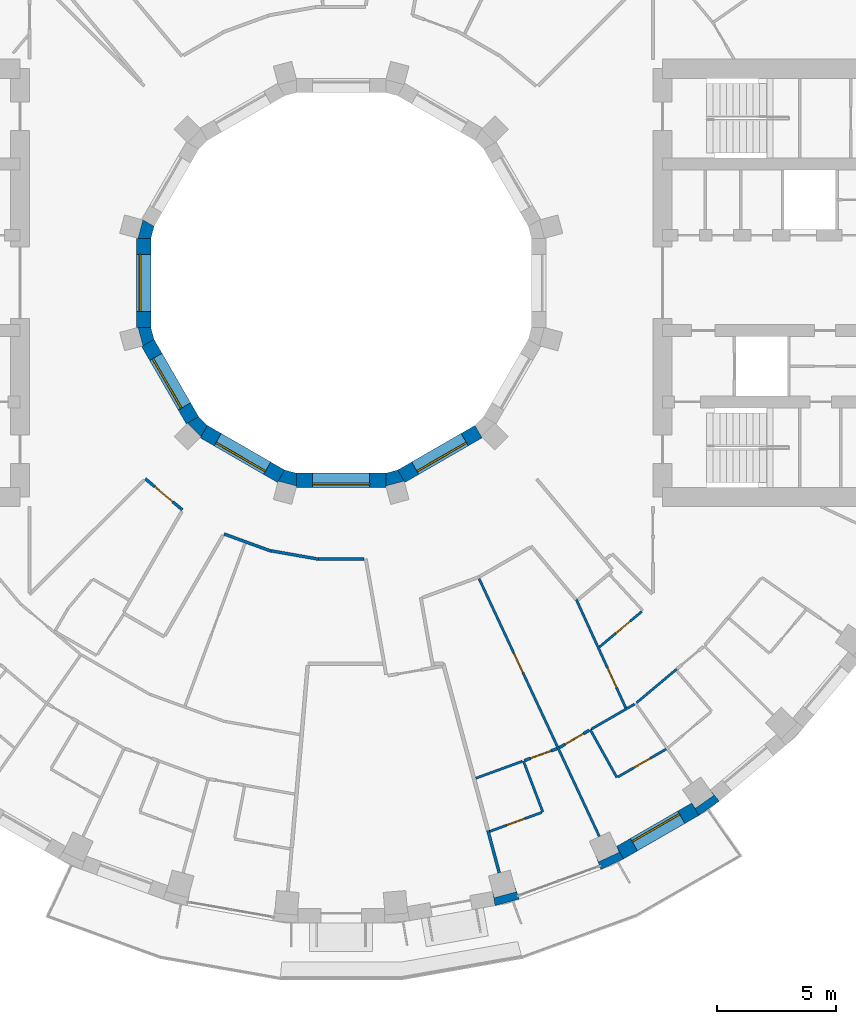
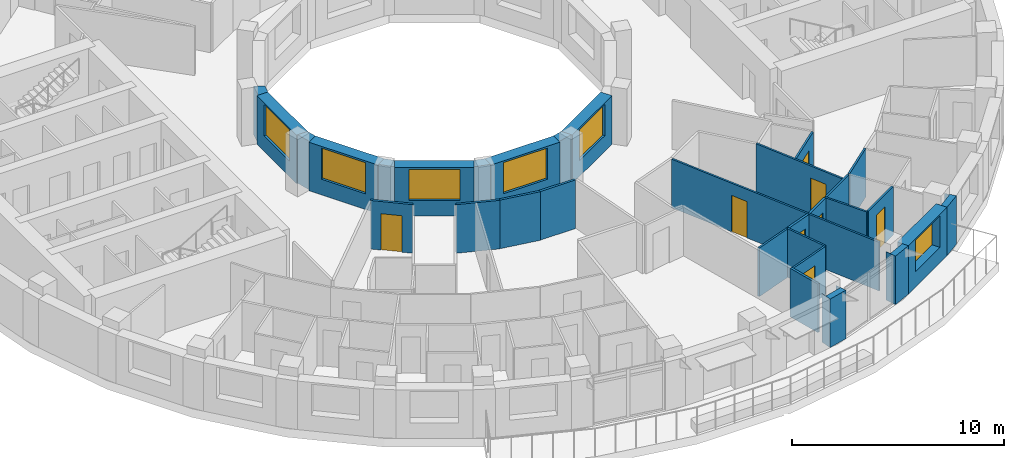
# One storey, part 8 of 16: 31 walls, 8 doors, 6 windows, 14 openings.
"""IFC4 building model written with IfcOpenShell, lengths in metres."""

from ifc_helpers import new_model, si_unit, direction, frame, frame_2d, origin, place, context, subcontext, project, spatial, polyline, rectangle, outline, extrude, material, layer, layer_set, type_object, element, fill, save


model = new_model("IFC4")

# Units and contexts
model_context = context("Model", 3, precision=1e-05, world=origin(), true_north=direction((0.0, 1.0)))
body_context = subcontext(model_context, "Body", "Model", "MODEL_VIEW")
ifc_project = project(units=[si_unit("LENGTHUNIT", "METRE"), si_unit("AREAUNIT", "SQUARE_METRE"), si_unit("VOLUMEUNIT", "CUBIC_METRE"), si_unit("PLANEANGLEUNIT", "RADIAN"), si_unit("MASSUNIT", "GRAM", prefix="KILO")], contexts=[model_context])

# Site, building, storey
site_placement = place(None, origin())
site = spatial("IfcSite", under=ifc_project, at=site_placement, CompositionType="ELEMENT")
building_placement = place(site_placement, origin())
building = spatial("IfcBuilding", under=site, at=building_placement, Name="Saqina Gate Tower", CompositionType="ELEMENT")
storey_placement = place(building_placement, frame((0.0, 0.0, 141.39990234375)))
storey = spatial("IfcBuildingStorey", under=building, at=storey_placement, Name="L40", CompositionType="ELEMENT", Elevation=141.39990234375)

# Walls
ifc_material_1 = material(Name="Brick masonry (buff)", Category="masonry")
wall_type_1 = type_object("IfcWallType", Name="BRICK PIER COPING BUFF", PredefinedType="SOLIDWALL", material=ifc_material_1)
wall_1_placement = place(storey_placement, origin())
element("IfcWall", 1, at=wall_1_placement, inside=storey, type_object=wall_type_1, Name="Pier cap L40 column 29", PredefinedType="SOLIDWALL", context=body_context, shape_type="SweptSolid", body=[
    extrude(outline(polyline([(6.466796875, -26.171875), (7.485595703125, -25.89892578125), (7.2802734375, -25.335205078125), (7.349853515625, -25.5947265625), (6.43212890625, -25.8408203125), (6.36279296875, -25.5810546875), (6.466796875, -26.171875)])), origin(), (0.0, 0.0, 1.0), 2.800048828125),
])
wall_2_placement = place(storey_placement, origin())
element("IfcWall", 2, at=wall_2_placement, inside=storey, type_object=wall_type_1, Name="Pier cap L40 column 30", PredefinedType="SOLIDWALL", context=body_context, shape_type="SweptSolid", body=[
    extrude(outline(polyline([(10.913330078125, -24.6513671875), (11.869140625, -24.205810546875), (11.569091796875, -23.68603515625), (11.6826171875, -23.9296875), (10.82177734375, -24.331298828125), (10.7080078125, -24.08740234375), (10.913330078125, -24.6513671875)])), origin(), (0.0, 0.0, 1.0), 2.800048828125),
])
wall_3_placement = place(storey_placement, origin())
element("IfcWall", 3, at=wall_3_placement, inside=storey, type_object=wall_type_1, Name="Pier cap L40 column 31", PredefinedType="SOLIDWALL", context=body_context, shape_type="SweptSolid", body=[
    extrude(outline(polyline([(15.89208984375, -21.77685546875), (15.50634765625, -21.317138671875), (15.66064453125, -21.53759765625), (14.88232421875, -22.08251953125), (14.728271484375, -21.862060546875), (15.0283203125, -22.3818359375), (15.89208984375, -21.77685546875)])), origin(), (0.0, 0.0, 1.0), 2.800048828125),
])

# Wall, opening, window
ifc_material_2 = material(Name="Brick masonry (buff)", Category="masonry")
ifc_layer_1 = layer(ifc_material_2, 0.60009765625)
ifc_layer_set_1 = layer_set([ifc_layer_1], Name="FW-BRICK-BUFF")
wall_type_2 = type_object("IfcWallType", Name="FW-BRICK-BUFF", PredefinedType="SOLIDWALL", material=ifc_layer_set_1)
wall_4_placement = place(storey_placement, frame((11.718994140625, -23.94580078125, 0.0), z_axis=(0.0, 0.0, 1.0), x_axis=(0.866051847062, 0.499954196102, 0.0)))
wall_4 = element("IfcWall", 4, at=wall_4_placement, inside=storey, type_object=wall_type_2, Name="Facade wall L40 facet 30", PredefinedType="SOLIDWALL", context=body_context, shape_type="SweptSolid", body=[
    extrude(rectangle(XDim=3.647705078125, YDim=0.60009765625, at=frame_2d((1.82373046875, 0.0))), origin(), (0.0, 0.0, 1.0), 2.800048828125),
])
opening_1_placement = place(wall_4_placement, frame((0.673828125, 0.0, 0.89990234375)))
opening_1 = element("IfcOpeningElement", 5, at=opening_1_placement, cuts=wall_4, Name="Opening G12-W19", PredefinedType="OPENING", context=body_context, shape_type="SweptSolid", body=[
    extrude(rectangle(XDim=2.300048828125, YDim=1.800048828125, at=frame_2d((1.14990234375, 0.89990234375))), frame((0.0, 0.31201171875, 0.0), z_axis=(0.0, -1.0, 0.0), x_axis=(1.0, 0.0, 0.0)), (0.0, 0.0, 1.0), 0.6240234375),
])
ifc_material_3 = material(Name="Aluminium glazing", Category="aluminium")
window_type_1 = type_object("IfcWindowType", Name="WN-B", PartitioningType="SINGLE_PANEL", PredefinedType="WINDOW", material=ifc_material_3)
window_1_placement = place(opening_1_placement, origin())
window_1 = element("IfcWindow", 6, at=window_1_placement, inside=storey, type_object=window_type_1, Name="Window L40 facet 30", OverallHeight=1.800048828125, OverallWidth=2.300048828125, PartitioningType="SINGLE_PANEL", PredefinedType="WINDOW", context=body_context, shape_type="SweptSolid", body=[
    extrude(rectangle(XDim=2.300048828125, YDim=1.800048828125, at=frame_2d((1.14990234375, 0.89990234375))), frame((0.0, 0.179931640625, 0.0), z_axis=(0.0, -1.0, 0.0), x_axis=(1.0, 0.0, 0.0)), (0.0, 0.0, 1.0), 0.06005859375),
])
fill(opening_1, window_1)

ifc_material_4 = material(Name="Glazed ceramic tile", Category="ceramic")
ifc_layer_2 = layer(ifc_material_4, 0.60009765625)
ifc_layer_set_2 = layer_set([ifc_layer_2], Name="IW-TILE")
wall_type_3 = type_object("IfcWallType", Name="IW-TILE", PredefinedType="SOLIDWALL", material=ifc_layer_set_2)
wall_5_placement = place(storey_placement, frame((-8.300048828125, 1.873779296875, 0.0), z_axis=(0.0, 0.0, 1.0), x_axis=(0.0, -1.0, 0.0)))
wall_5 = element("IfcWall", 7, at=wall_5_placement, inside=storey, type_object=wall_type_3, Name="Well wall L40 facet 6", PredefinedType="SOLIDWALL", context=body_context, shape_type="SweptSolid", body=[
    extrude(rectangle(XDim=3.74755859375, YDim=0.60009765625, at=frame_2d((1.873779296875, 0.0))), origin(), (0.0, 0.0, 1.0), 2.800048828125),
])
opening_2_placement = place(wall_5_placement, frame((0.673583984375, 0.0, 0.89990234375)))
opening_2 = element("IfcOpeningElement", 8, at=opening_2_placement, cuts=wall_5, Name="Opening G12-W28", PredefinedType="OPENING", context=body_context, shape_type="SweptSolid", body=[
    extrude(rectangle(XDim=2.39990234375, YDim=1.800048828125, at=frame_2d((1.199951171875, 0.89990234375))), frame((0.0, 0.31201171875, 0.0), z_axis=(0.0, -1.0, 0.0), x_axis=(1.0, 0.0, 0.0)), (0.0, 0.0, 1.0), 0.6240234375),
])
ifc_material_5 = material(Name="Aluminium glazing", Category="aluminium")
window_type_2 = type_object("IfcWindowType", Name="WN-W", PartitioningType="SINGLE_PANEL", PredefinedType="WINDOW", material=ifc_material_5)
window_2_placement = place(opening_2_placement, origin())
window_2 = element("IfcWindow", 9, at=window_2_placement, inside=storey, type_object=window_type_2, Name="Well window L40 facet 6", OverallHeight=1.800048828125, OverallWidth=2.39990234375, PartitioningType="SINGLE_PANEL", PredefinedType="WINDOW", context=body_context, shape_type="SweptSolid", body=[
    extrude(rectangle(XDim=2.39990234375, YDim=1.800048828125, at=frame_2d((1.199951171875, 0.89990234375))), frame((0.0, -0.119873046875, 0.0), z_axis=(0.0, -1.0, 0.0), x_axis=(1.0, 0.0, 0.0)), (0.0, 0.0, 1.0), 0.06005859375),
])
fill(opening_2, window_2)

wall_6_placement = place(storey_placement, frame((-8.124755859375, -2.52734375, 0.0), z_axis=(0.0, 0.0, 1.0), x_axis=(0.499964958637, -0.86604563398, 0.0)))
wall_6 = element("IfcWall", 10, at=wall_6_placement, inside=storey, type_object=wall_type_3, Name="Well wall L40 facet 7", PredefinedType="SOLIDWALL", context=body_context, shape_type="SweptSolid", body=[
    extrude(rectangle(XDim=3.747314453125, YDim=0.60009765625, at=frame_2d((1.87353515625, 0.0))), origin(), (0.0, 0.0, 1.0), 2.800048828125),
])
opening_3_placement = place(wall_6_placement, frame((0.673583984375, 0.0, 0.89990234375)))
opening_3 = element("IfcOpeningElement", 11, at=opening_3_placement, cuts=wall_6, Name="Opening G12-W29", PredefinedType="OPENING", context=body_context, shape_type="SweptSolid", body=[
    extrude(rectangle(XDim=2.39990234375, YDim=1.800048828125, at=frame_2d((1.199951171875, 0.89990234375))), frame((0.0, 0.31201171875, 0.0), z_axis=(0.0, -1.0, 0.0), x_axis=(1.0, 0.0, 0.0)), (0.0, 0.0, 1.0), 0.6240234375),
])
window_3_placement = place(opening_3_placement, origin())
window_3 = element("IfcWindow", 12, at=window_3_placement, inside=storey, type_object=window_type_2, Name="Well window L40 facet 7", OverallHeight=1.800048828125, OverallWidth=2.39990234375, PartitioningType="SINGLE_PANEL", PredefinedType="WINDOW", context=body_context, shape_type="SweptSolid", body=[
    extrude(rectangle(XDim=2.39990234375, YDim=1.800048828125, at=frame_2d((1.199951171875, 0.89990234375))), frame((0.0, -0.119873046875, 0.0), z_axis=(0.0, -1.0, 0.0), x_axis=(1.0, 0.0, 0.0)), (0.0, 0.0, 1.0), 0.06005859375),
])
fill(opening_3, window_3)

wall_7_placement = place(storey_placement, frame((-5.772705078125, -6.251220703125, 0.0), z_axis=(0.0, 0.0, 1.0), x_axis=(0.86604563398, -0.499964958637, 0.0)))
wall_7 = element("IfcWall", 13, at=wall_7_placement, inside=storey, type_object=wall_type_3, Name="Well wall L40 facet 8", PredefinedType="SOLIDWALL", context=body_context, shape_type="SweptSolid", body=[
    extrude(rectangle(XDim=3.747314453125, YDim=0.60009765625, at=frame_2d((1.87353515625, 0.0))), origin(), (0.0, 0.0, 1.0), 2.800048828125),
])
opening_4_placement = place(wall_7_placement, frame((0.673583984375, 0.0, 0.89990234375)))
opening_4 = element("IfcOpeningElement", 14, at=opening_4_placement, cuts=wall_7, Name="Opening G12-W30", PredefinedType="OPENING", context=body_context, shape_type="SweptSolid", body=[
    extrude(rectangle(XDim=2.39990234375, YDim=1.800048828125, at=frame_2d((1.199951171875, 0.89990234375))), frame((0.0, 0.31201171875, 0.0), z_axis=(0.0, -1.0, 0.0), x_axis=(1.0, 0.0, 0.0)), (0.0, 0.0, 1.0), 0.6240234375),
])
window_4_placement = place(opening_4_placement, origin())
window_4 = element("IfcWindow", 15, at=window_4_placement, inside=storey, type_object=window_type_2, Name="Well window L40 facet 8", OverallHeight=1.800048828125, OverallWidth=2.39990234375, PartitioningType="SINGLE_PANEL", PredefinedType="WINDOW", context=body_context, shape_type="SweptSolid", body=[
    extrude(rectangle(XDim=2.39990234375, YDim=1.800048828125, at=frame_2d((1.199951171875, 0.89990234375))), frame((0.0, -0.119873046875, 0.0), z_axis=(0.0, -1.0, 0.0), x_axis=(1.0, 0.0, 0.0)), (0.0, 0.0, 1.0), 0.06005859375),
])
fill(opening_4, window_4)

wall_8_placement = place(storey_placement, frame((-1.873779296875, -8.300048828125, 0.0), z_axis=(0.0, 0.0, 1.0), x_axis=(1.0, 0.0, 0.0)))
wall_8 = element("IfcWall", 16, at=wall_8_placement, inside=storey, type_object=wall_type_3, Name="Well wall L40 facet 9", PredefinedType="SOLIDWALL", context=body_context, shape_type="SweptSolid", body=[
    extrude(rectangle(XDim=3.74755859375, YDim=0.60009765625, at=frame_2d((1.873779296875, 0.0))), origin(), (0.0, 0.0, 1.0), 2.800048828125),
])
opening_5_placement = place(wall_8_placement, frame((0.673583984375, 0.0, 0.89990234375)))
opening_5 = element("IfcOpeningElement", 17, at=opening_5_placement, cuts=wall_8, Name="Opening G12-W31", PredefinedType="OPENING", context=body_context, shape_type="SweptSolid", body=[
    extrude(rectangle(XDim=2.39990234375, YDim=1.800048828125, at=frame_2d((1.199951171875, 0.89990234375))), frame((0.0, 0.31201171875, 0.0), z_axis=(0.0, -1.0, 0.0), x_axis=(1.0, 0.0, 0.0)), (0.0, 0.0, 1.0), 0.6240234375),
])
window_5_placement = place(opening_5_placement, origin())
window_5 = element("IfcWindow", 18, at=window_5_placement, inside=storey, type_object=window_type_2, Name="Well window L40 facet 9", OverallHeight=1.800048828125, OverallWidth=2.39990234375, PartitioningType="SINGLE_PANEL", PredefinedType="WINDOW", context=body_context, shape_type="SweptSolid", body=[
    extrude(rectangle(XDim=2.39990234375, YDim=1.800048828125, at=frame_2d((1.199951171875, 0.89990234375))), frame((0.0, -0.119873046875, 0.0), z_axis=(0.0, -1.0, 0.0), x_axis=(1.0, 0.0, 0.0)), (0.0, 0.0, 1.0), 0.06005859375),
])
fill(opening_5, window_5)

wall_9_placement = place(storey_placement, frame((2.52734375, -8.124755859375, 0.0), z_axis=(0.0, 0.0, 1.0), x_axis=(0.86604563398, 0.499964958637, 0.0)))
wall_9 = element("IfcWall", 19, at=wall_9_placement, inside=storey, type_object=wall_type_3, Name="Well wall L40 facet 10", PredefinedType="SOLIDWALL", context=body_context, shape_type="SweptSolid", body=[
    extrude(rectangle(XDim=3.747314453125, YDim=0.60009765625, at=frame_2d((1.87353515625, 0.0))), origin(), (0.0, 0.0, 1.0), 2.800048828125),
])
opening_6_placement = place(wall_9_placement, frame((0.673583984375, 0.0, 0.89990234375)))
opening_6 = element("IfcOpeningElement", 20, at=opening_6_placement, cuts=wall_9, Name="Opening G12-W32", PredefinedType="OPENING", context=body_context, shape_type="SweptSolid", body=[
    extrude(rectangle(XDim=2.39990234375, YDim=1.800048828125, at=frame_2d((1.199951171875, 0.89990234375))), frame((0.0, 0.31201171875, 0.0), z_axis=(0.0, -1.0, 0.0), x_axis=(1.0, 0.0, 0.0)), (0.0, 0.0, 1.0), 0.6240234375),
])
window_6_placement = place(opening_6_placement, origin())
window_6 = element("IfcWindow", 21, at=window_6_placement, inside=storey, type_object=window_type_2, Name="Well window L40 facet 10", OverallHeight=1.800048828125, OverallWidth=2.39990234375, PartitioningType="SINGLE_PANEL", PredefinedType="WINDOW", context=body_context, shape_type="SweptSolid", body=[
    extrude(rectangle(XDim=2.39990234375, YDim=1.800048828125, at=frame_2d((1.199951171875, 0.89990234375))), frame((0.0, -0.119873046875, 0.0), z_axis=(0.0, -1.0, 0.0), x_axis=(1.0, 0.0, 0.0)), (0.0, 0.0, 1.0), 0.06005859375),
])
fill(opening_6, window_6)

# Wall
ifc_material_6 = material(Name="Gypsum board on steel studs, 100 mm", Category="steel")
ifc_layer_3 = layer(ifc_material_6, 0.10009765625)
ifc_layer_set_3 = layer_set([ifc_layer_3], Name="PARTITION 100")
wall_type_4 = type_object("IfcWallType", Name="PARTITION 100", PredefinedType="PARTITIONING", material=ifc_layer_set_3)
wall_10_placement = place(storey_placement, frame((7.656982421875, -20.090087890625, 0.0), z_axis=(0.0, 0.0, 1.0), x_axis=(0.35616749028, -0.934422130981, 0.0)))
element("IfcWall", 22, at=wall_10_placement, inside=storey, type_object=wall_type_4, Name="PARTITION PW3-06", PredefinedType="PARTITIONING", context=body_context, shape_type="SweptSolid", body=[
    extrude(rectangle(XDim=2.2998046875, YDim=0.10009765625, at=frame_2d((1.14990234375, 0.0))), origin(), (0.0, 0.0, 1.0), 2.800048828125),
])

# Wall, opening, door
wall_11_placement = place(storey_placement, frame((9.882568359375, -13.311767578125, 0.0), z_axis=(0.0, 0.0, 1.0), x_axis=(0.415273903312, -0.909696424764, 0.0)))
wall_11 = element("IfcWall", 23, at=wall_11_placement, inside=storey, type_object=wall_type_4, Name="PARTITION PW3-07", PredefinedType="PARTITIONING", context=body_context, shape_type="SweptSolid", body=[
    extrude(rectangle(XDim=5.0, YDim=0.10009765625, at=frame_2d((2.5, 0.0))), origin(), (0.0, 0.0, 1.0), 2.800048828125),
])
opening_7_placement = place(wall_11_placement, frame((3.16552734375, 0.0, 0.0)))
opening_7 = element("IfcOpeningElement", 24, at=opening_7_placement, cuts=wall_11, Name="Opening G12-D54", PredefinedType="OPENING", context=body_context, shape_type="SweptSolid", body=[
    extrude(rectangle(XDim=0.89990234375, YDim=2.10009765625, at=frame_2d((0.449951171875, 1.050048828125))), frame((0.0, 0.06201171875, 0.0), z_axis=(0.0, -1.0, 0.0), x_axis=(1.0, 0.0, 0.0)), (0.0, 0.0, 1.0), 0.1240234375),
])
ifc_material_7 = material(Name="Timber door leaf, 900 mm", Category="wood")
door_type_1 = type_object("IfcDoorType", Name="DOOR 900 TIMBER", OperationType="SINGLE_SWING_LEFT", PredefinedType="DOOR", material=ifc_material_7)
door_1_placement = place(opening_7_placement, origin())
door_1 = element("IfcDoor", 25, at=door_1_placement, inside=storey, type_object=door_type_1, Name="DOOR G12-D54", OperationType="SINGLE_SWING_RIGHT", OverallHeight=2.10009765625, OverallWidth=0.89990234375, PredefinedType="DOOR", context=body_context, shape_type="SweptSolid", body=[
    extrude(rectangle(XDim=0.89990234375, YDim=2.10009765625, at=frame_2d((0.449951171875, 1.050048828125))), frame((0.0, 0.02490234375, 0.0), z_axis=(0.0, -1.0, 0.0), x_axis=(1.0, 0.0, 0.0)), (0.0, 0.0, 1.0), 0.050048828125),
])
fill(opening_7, door_1)

wall_12_placement = place(storey_placement, frame((5.79443359375, -12.429931640625, 0.0), z_axis=(0.0, 0.0, 1.0), x_axis=(0.422795993745, -0.906224888023, 0.0)))
wall_12 = element("IfcWall", 26, at=wall_12_placement, inside=storey, type_object=wall_type_4, Name="PARTITION PW3-09", PredefinedType="PARTITIONING", context=body_context, shape_type="SweptSolid", body=[
    extrude(rectangle(XDim=11.95068359375, YDim=0.10009765625, at=frame_2d((5.975341796875, 0.0))), origin(), (0.0, 0.0, 1.0), 2.800048828125),
])
opening_8_placement = place(wall_12_placement, frame((3.45068359375, 0.0, 0.0)))
opening_8 = element("IfcOpeningElement", 27, at=opening_8_placement, cuts=wall_12, Name="Opening G12-D51", PredefinedType="OPENING", context=body_context, shape_type="SweptSolid", body=[
    extrude(rectangle(XDim=0.89990234375, YDim=2.10009765625, at=frame_2d((0.449951171875, 1.050048828125))), frame((0.0, 0.06201171875, 0.0), z_axis=(0.0, -1.0, 0.0), x_axis=(1.0, 0.0, 0.0)), (0.0, 0.0, 1.0), 0.1240234375),
])
door_2_placement = place(opening_8_placement, origin())
door_2 = element("IfcDoor", 28, at=door_2_placement, inside=storey, type_object=door_type_1, Name="DOOR G12-D51", OperationType="SINGLE_SWING_LEFT", OverallHeight=2.10009765625, OverallWidth=0.89990234375, PredefinedType="DOOR", context=body_context, shape_type="SweptSolid", body=[
    extrude(rectangle(XDim=0.89990234375, YDim=2.10009765625, at=frame_2d((0.449951171875, 1.050048828125))), frame((0.0, 0.02490234375, 0.0), z_axis=(0.0, -1.0, 0.0), x_axis=(1.0, 0.0, 0.0)), (0.0, 0.0, 1.0), 0.050048828125),
])
fill(opening_8, door_2)

# Wall
wall_13_placement = place(storey_placement, frame((10.468017578125, -18.779052734375, 0.0), z_axis=(0.0, 0.0, 1.0), x_axis=(0.486886136125, -0.873465448915, 0.0)))
element("IfcWall", 29, at=wall_13_placement, inside=storey, type_object=wall_type_4, Name="PARTITION PW3-10", PredefinedType="PARTITIONING", context=body_context, shape_type="SweptSolid", body=[
    extrude(rectangle(XDim=2.300048828125, YDim=0.10009765625, at=frame_2d((1.14990234375, 0.0))), origin(), (0.0, 0.0, 1.0), 2.800048828125),
])

# Wall, opening, door
wall_14_placement = place(storey_placement, frame((6.24169921875, -23.052734375, 0.0), z_axis=(0.0, 0.0, 1.0), x_axis=(0.939618756308, 0.342223016166, 0.0)))
wall_14 = element("IfcWall", 30, at=wall_14_placement, inside=storey, type_object=wall_type_4, Name="PARTITION PW3-67", PredefinedType="PARTITIONING", context=body_context, shape_type="SweptSolid", body=[
    extrude(rectangle(XDim=2.327880859375, YDim=0.10009765625, at=frame_2d((1.1640625, 0.0))), origin(), (0.0, 0.0, 1.0), 2.800048828125),
])
opening_9_placement = place(wall_14_placement, frame((0.7578125, 0.0, 0.0)))
opening_9 = element("IfcOpeningElement", 31, at=opening_9_placement, cuts=wall_14, Name="Opening G12-D49", PredefinedType="OPENING", context=body_context, shape_type="SweptSolid", body=[
    extrude(rectangle(XDim=0.800048828125, YDim=2.10009765625, at=frame_2d((0.39990234375, 1.050048828125))), frame((0.0, 0.06201171875, 0.0), z_axis=(0.0, -1.0, 0.0), x_axis=(1.0, 0.0, 0.0)), (0.0, 0.0, 1.0), 0.1240234375),
])
ifc_material_8 = material(Name="Timber door leaf, 800 mm", Category="wood")
door_type_2 = type_object("IfcDoorType", Name="DOOR 800 TIMBER", OperationType="SINGLE_SWING_LEFT", PredefinedType="DOOR", material=ifc_material_8)
door_3_placement = place(opening_9_placement, frame((0.800048828125, 0.0, 0.0), z_axis=(0.0, 0.0, 1.0), x_axis=(-1.0, 0.0, 0.0)))
door_3 = element("IfcDoor", 32, at=door_3_placement, inside=storey, type_object=door_type_2, Name="DOOR G12-D49", OperationType="SINGLE_SWING_RIGHT", OverallHeight=2.10009765625, OverallWidth=0.800048828125, PredefinedType="DOOR", context=body_context, shape_type="SweptSolid", body=[
    extrude(rectangle(XDim=0.800048828125, YDim=2.10009765625, at=frame_2d((0.39990234375, 1.050048828125))), frame((0.0, 0.02490234375, 0.0), z_axis=(0.0, -1.0, 0.0), x_axis=(1.0, 0.0, 0.0)), (0.0, 0.0, 1.0), 0.050048828125),
])
fill(opening_9, door_3)

# Wall
wall_15_placement = place(storey_placement, frame((5.655517578125, -20.818359375, 0.0), z_axis=(0.0, 0.0, 1.0), x_axis=(0.939728291625, 0.341922122596, 0.0)))
element("IfcWall", 33, at=wall_15_placement, inside=storey, type_object=wall_type_4, Name="PARTITION PW3-68", PredefinedType="PARTITIONING", context=body_context, shape_type="SweptSolid", body=[
    extrude(rectangle(XDim=2.079833984375, YDim=0.10009765625, at=frame_2d((1.0400390625, 0.0))), origin(), (0.0, 0.0, 1.0), 2.800048828125),
])

# Wall, opening, door
wall_16_placement = place(storey_placement, frame((11.63134765625, -20.762939453125, 0.0), z_axis=(0.0, 0.0, 1.0), x_axis=(0.866130014302, 0.499818765479, 0.0)))
wall_16 = element("IfcWall", 34, at=wall_16_placement, inside=storey, type_object=wall_type_4, Name="PARTITION PW3-73", PredefinedType="PARTITIONING", context=body_context, shape_type="SweptSolid", body=[
    extrude(rectangle(XDim=2.340576171875, YDim=0.10009765625, at=frame_2d((1.17041015625, 0.0))), origin(), (0.0, 0.0, 1.0), 2.800048828125),
])
opening_10_placement = place(wall_16_placement, frame((0.7705078125, 0.0, 0.0)))
opening_10 = element("IfcOpeningElement", 35, at=opening_10_placement, cuts=wall_16, Name="Opening G12-D53", PredefinedType="OPENING", context=body_context, shape_type="SweptSolid", body=[
    extrude(rectangle(XDim=0.800048828125, YDim=2.10009765625, at=frame_2d((0.39990234375, 1.050048828125))), frame((0.0, 0.06201171875, 0.0), z_axis=(0.0, -1.0, 0.0), x_axis=(1.0, 0.0, 0.0)), (0.0, 0.0, 1.0), 0.1240234375),
])
door_4_placement = place(opening_10_placement, frame((0.800048828125, 0.0, 0.0), z_axis=(0.0, 0.0, 1.0), x_axis=(-1.0, 0.0, 0.0)))
door_4 = element("IfcDoor", 36, at=door_4_placement, inside=storey, type_object=door_type_2, Name="DOOR G12-D53", OperationType="SINGLE_SWING_LEFT", OverallHeight=2.10009765625, OverallWidth=0.800048828125, PredefinedType="DOOR", context=body_context, shape_type="SweptSolid", body=[
    extrude(rectangle(XDim=0.800048828125, YDim=2.10009765625, at=frame_2d((0.39990234375, 1.050048828125))), frame((0.0, 0.02490234375, 0.0), z_axis=(0.0, -1.0, 0.0), x_axis=(1.0, 0.0, 0.0)), (0.0, 0.0, 1.0), 0.050048828125),
])
fill(opening_10, door_4)

# Walls
wall_17_placement = place(storey_placement, frame((10.51123046875, -18.75390625, 0.0), z_axis=(0.0, 0.0, 1.0), x_axis=(0.866071606143, 0.499919966627, 0.0)))
element("IfcWall", 37, at=wall_17_placement, inside=storey, type_object=wall_type_4, Name="PARTITION PW3-74", PredefinedType="PARTITIONING", context=body_context, shape_type="SweptSolid", body=[
    extrude(rectangle(XDim=2.104248046875, YDim=0.10009765625, at=frame_2d((1.05224609375, 0.0))), origin(), (0.0, 0.0, 1.0), 2.800048828125),
])
wall_18_placement = place(storey_placement, frame((12.415283203125, -17.644775390625, 0.0), z_axis=(0.0, 0.0, 1.0), x_axis=(0.766093039246, 0.642729690631, 0.0)))
element("IfcWall", 38, at=wall_18_placement, inside=storey, type_object=wall_type_4, Name="PARTITION PW3-81", PredefinedType="PARTITIONING", context=body_context, shape_type="SweptSolid", body=[
    extrude(rectangle(XDim=2.20458984375, YDim=0.10009765625, at=frame_2d((1.102294921875, 0.0))), origin(), (0.0, 0.0, 1.0), 2.800048828125),
])

# Wall, opening, door
wall_19_placement = place(storey_placement, frame((10.848388671875, -15.30712890625, 0.0), z_axis=(0.0, 0.0, 1.0), x_axis=(0.766356114298, 0.642415991456, 0.0)))
wall_19 = element("IfcWall", 39, at=wall_19_placement, inside=storey, type_object=wall_type_4, Name="PARTITION PW3-82", PredefinedType="PARTITIONING", context=body_context, shape_type="SweptSolid", body=[
    extrude(rectangle(XDim=2.332275390625, YDim=0.10009765625, at=frame_2d((1.166015625, 0.0))), origin(), (0.0, 0.0, 1.0), 2.800048828125),
])
opening_11_placement = place(wall_19_placement, frame((0.90234375, 0.0, 0.0)))
opening_11 = element("IfcOpeningElement", 40, at=opening_11_placement, cuts=wall_19, Name="Opening G12-D56", PredefinedType="OPENING", context=body_context, shape_type="SweptSolid", body=[
    extrude(rectangle(XDim=0.800048828125, YDim=2.10009765625, at=frame_2d((0.39990234375, 1.050048828125))), frame((0.0, 0.06201171875, 0.0), z_axis=(0.0, -1.0, 0.0), x_axis=(1.0, 0.0, 0.0)), (0.0, 0.0, 1.0), 0.1240234375),
])
door_5_placement = place(opening_11_placement, frame((0.800048828125, 0.0, 0.0), z_axis=(0.0, 0.0, 1.0), x_axis=(-1.0, 0.0, 0.0)))
door_5 = element("IfcDoor", 41, at=door_5_placement, inside=storey, type_object=door_type_2, Name="DOOR G12-D56", OperationType="SINGLE_SWING_LEFT", OverallHeight=2.10009765625, OverallWidth=0.800048828125, PredefinedType="DOOR", context=body_context, shape_type="SweptSolid", body=[
    extrude(rectangle(XDim=0.800048828125, YDim=2.10009765625, at=frame_2d((0.39990234375, 1.050048828125))), frame((0.0, 0.02490234375, 0.0), z_axis=(0.0, -1.0, 0.0), x_axis=(1.0, 0.0, 0.0)), (0.0, 0.0, 1.0), 0.050048828125),
])
fill(opening_11, door_5)

# Wall
ifc_material_9 = material(Name="Gypsum board on steel studs, 125 mm, fire rated", Category="steel")
ifc_layer_4 = layer(ifc_material_9, 0.125)
ifc_layer_set_4 = layer_set([ifc_layer_4], Name="PARTITION EI 30 125")
wall_type_5 = type_object("IfcWallType", Name="PARTITION EI 30 125", PredefinedType="PARTITIONING", material=ifc_layer_set_4)
wall_20_placement = place(storey_placement, frame((6.166259765625, -23.013671875, 0.0), z_axis=(0.0, 0.0, 1.0), x_axis=(0.258802424466, -0.965930279622, 0.0)))
element("IfcWall", 42, at=wall_20_placement, inside=storey, type_object=wall_type_5, Name="PARTITION PW1-03", PredefinedType="PARTITIONING", context=body_context, shape_type="SweptSolid", body=[
    extrude(rectangle(XDim=1.839599609375, YDim=0.125, at=frame_2d((0.919921875, 0.0))), origin(), (0.0, 0.0, 1.0), 2.800048828125),
])

# Wall, opening, door
wall_21_placement = place(storey_placement, frame((-8.23291015625, -8.23193359375, 0.0), z_axis=(0.0, 0.0, 1.0), x_axis=(0.766275589864, -0.642512039092, 0.0)))
wall_21 = element("IfcWall", 43, at=wall_21_placement, inside=storey, type_object=wall_type_5, Name="PARTITION PW1-12", PredefinedType="PARTITIONING", context=body_context, shape_type="SweptSolid", body=[
    extrude(rectangle(XDim=2.02978515625, YDim=0.125, at=frame_2d((1.014892578125, 0.0))), origin(), (0.0, 0.0, 1.0), 2.800048828125),
])
opening_12_placement = place(wall_21_placement, frame((0.5146484375, 0.0, 0.0)))
opening_12 = element("IfcOpeningElement", 44, at=opening_12_placement, cuts=wall_21, Name="Opening G12-D37", PredefinedType="OPENING", context=body_context, shape_type="SweptSolid", body=[
    extrude(rectangle(XDim=1.0, YDim=2.10009765625, at=frame_2d((0.5, 1.050048828125))), frame((0.0, 0.074462890625, 0.0), z_axis=(0.0, -1.0, 0.0), x_axis=(1.0, 0.0, 0.0)), (0.0, 0.0, 1.0), 0.14892578125),
])
ifc_material_10 = material(Name="Fire door leaf EI 30, 1000 mm")
door_type_3 = type_object("IfcDoorType", Name="DOOR 1000 EI 30", OperationType="SINGLE_SWING_LEFT", PredefinedType="DOOR", material=ifc_material_10)
door_6_placement = place(opening_12_placement, frame((1.0, 0.0, 0.0), z_axis=(0.0, 0.0, 1.0), x_axis=(-1.0, 0.0, 0.0)))
door_6 = element("IfcDoor", 45, at=door_6_placement, inside=storey, type_object=door_type_3, Name="DOOR G12-D37", OperationType="SINGLE_SWING_RIGHT", OverallHeight=2.10009765625, OverallWidth=1.0, PredefinedType="DOOR", context=body_context, shape_type="SweptSolid", body=[
    extrude(rectangle(XDim=1.0, YDim=2.10009765625, at=frame_2d((0.5, 1.050048828125))), frame((0.0, 0.02490234375, 0.0), z_axis=(0.0, -1.0, 0.0), x_axis=(1.0, 0.0, 0.0)), (0.0, 0.0, 1.0), 0.050048828125),
])
fill(opening_12, door_6)

# Walls
wall_22_placement = place(storey_placement, frame((-4.9208984375, -10.552978515625, 0.0), z_axis=(0.0, 0.0, 1.0), x_axis=(0.939408005118, -0.342801108399, 0.0)))
element("IfcWall", 46, at=wall_22_placement, inside=storey, type_object=wall_type_5, Name="PARTITION PW1-22", PredefinedType="PARTITIONING", context=body_context, shape_type="SweptSolid", body=[
    extrude(rectangle(XDim=2.093017578125, YDim=0.125, at=frame_2d((1.04638671875, 0.0))), origin(), (0.0, 0.0, 1.0), 2.800048828125),
])
wall_23_placement = place(storey_placement, frame((-2.952392578125, -11.2587890625, 0.0), z_axis=(0.0, 0.0, 1.0), x_axis=(0.984837972304, -0.173476708256, 0.0)))
element("IfcWall", 47, at=wall_23_placement, inside=storey, type_object=wall_type_5, Name="PARTITION PW1-25", PredefinedType="PARTITIONING", context=body_context, shape_type="SweptSolid", body=[
    extrude(rectangle(XDim=2.03076171875, YDim=0.125, at=frame_2d((1.015380859375, 0.0))), origin(), (0.0, 0.0, 1.0), 2.800048828125),
])
wall_24_placement = place(storey_placement, frame((-0.952392578125, -11.60009765625, 0.0), z_axis=(0.0, 0.0, 1.0), x_axis=(1.0, 0.0, 0.0)))
element("IfcWall", 48, at=wall_24_placement, inside=storey, type_object=wall_type_5, Name="PARTITION PW1-28", PredefinedType="PARTITIONING", context=body_context, shape_type="SweptSolid", body=[
    extrude(rectangle(XDim=1.90478515625, YDim=0.125, at=frame_2d((0.952392578125, 0.0))), origin(), (0.0, 0.0, 1.0), 2.800048828125),
])

# Wall, opening, door
wall_25_placement = place(storey_placement, frame((7.7041015625, -20.072998046875, 0.0), z_axis=(0.0, 0.0, 1.0), x_axis=(0.939788529673, 0.341756520778, 0.0)))
wall_25 = element("IfcWall", 49, at=wall_25_placement, inside=storey, type_object=wall_type_5, Name="PARTITION PW1-34", PredefinedType="PARTITIONING", context=body_context, shape_type="SweptSolid", body=[
    extrude(rectangle(XDim=1.45654296875, YDim=0.125, at=frame_2d((0.728271484375, 0.0))), origin(), (0.0, 0.0, 1.0), 2.800048828125),
])
opening_13_placement = place(wall_25_placement, frame((0.2783203125, 0.0, 0.0)))
opening_13 = element("IfcOpeningElement", 50, at=opening_13_placement, cuts=wall_25, Name="Opening G12-D50", PredefinedType="OPENING", context=body_context, shape_type="SweptSolid", body=[
    extrude(rectangle(XDim=0.89990234375, YDim=2.10009765625, at=frame_2d((0.449951171875, 1.050048828125))), frame((0.0, 0.074462890625, 0.0), z_axis=(0.0, -1.0, 0.0), x_axis=(1.0, 0.0, 0.0)), (0.0, 0.0, 1.0), 0.14892578125),
])
ifc_material_11 = material(Name="Fire door leaf EI 30, 900 mm")
door_type_4 = type_object("IfcDoorType", Name="DOOR 900 EI 30", OperationType="SINGLE_SWING_LEFT", PredefinedType="DOOR", material=ifc_material_11)
door_7_placement = place(opening_13_placement, origin())
door_7 = element("IfcDoor", 51, at=door_7_placement, inside=storey, type_object=door_type_4, Name="DOOR G12-D50", OperationType="SINGLE_SWING_RIGHT", OverallHeight=2.10009765625, OverallWidth=0.89990234375, PredefinedType="DOOR", context=body_context, shape_type="SweptSolid", body=[
    extrude(rectangle(XDim=0.89990234375, YDim=2.10009765625, at=frame_2d((0.449951171875, 1.050048828125))), frame((0.0, 0.02490234375, 0.0), z_axis=(0.0, -1.0, 0.0), x_axis=(1.0, 0.0, 0.0)), (0.0, 0.0, 1.0), 0.050048828125),
])
fill(opening_13, door_7)

wall_26_placement = place(storey_placement, frame((9.163330078125, -19.532958984375, 0.0), z_axis=(0.0, 0.0, 1.0), x_axis=(0.865819905352, 0.500355764928, 0.0)))
wall_26 = element("IfcWall", 52, at=wall_26_placement, inside=storey, type_object=wall_type_5, Name="PARTITION PW1-38", PredefinedType="PARTITIONING", context=body_context, shape_type="SweptSolid", body=[
    extrude(rectangle(XDim=1.45703125, YDim=0.125, at=frame_2d((0.728515625, 0.0))), origin(), (0.0, 0.0, 1.0), 2.800048828125),
])
opening_14_placement = place(wall_26_placement, frame((0.278564453125, 0.0, 0.0)))
opening_14 = element("IfcOpeningElement", 53, at=opening_14_placement, cuts=wall_26, Name="Opening G12-D52", PredefinedType="OPENING", context=body_context, shape_type="SweptSolid", body=[
    extrude(rectangle(XDim=0.89990234375, YDim=2.10009765625, at=frame_2d((0.449951171875, 1.050048828125))), frame((0.0, 0.074462890625, 0.0), z_axis=(0.0, -1.0, 0.0), x_axis=(1.0, 0.0, 0.0)), (0.0, 0.0, 1.0), 0.14892578125),
])
door_8_placement = place(opening_14_placement, origin())
door_8 = element("IfcDoor", 54, at=door_8_placement, inside=storey, type_object=door_type_4, Name="DOOR G12-D52", OperationType="SINGLE_SWING_LEFT", OverallHeight=2.10009765625, OverallWidth=0.89990234375, PredefinedType="DOOR", context=body_context, shape_type="SweptSolid", body=[
    extrude(rectangle(XDim=0.89990234375, YDim=2.10009765625, at=frame_2d((0.449951171875, 1.050048828125))), frame((0.0, 0.02490234375, 0.0), z_axis=(0.0, -1.0, 0.0), x_axis=(1.0, 0.0, 0.0)), (0.0, 0.0, 1.0), 0.050048828125),
])
fill(opening_14, door_8)

# Walls
ifc_material_12 = material(Name="Glazed ceramic tile", Category="ceramic")
wall_type_6 = type_object("IfcWallType", Name="TILE PIER COPING", PredefinedType="SOLIDWALL", material=ifc_material_12)
wall_27_placement = place(storey_placement, origin())
element("IfcWall", 55, at=wall_27_placement, inside=storey, type_object=wall_type_6, Name="Well pier cap L40 column 6", PredefinedType="SOLIDWALL", context=body_context, shape_type="SweptSolid", body=[
    extrude(outline(polyline([(-8.5380859375, 1.873779296875), (-8.0, 1.873779296875), (-7.864990234375, 2.377197265625), (-8.3310546875, 2.646484375), (-8.5380859375, 1.873779296875)])), origin(), (0.0, 0.0, 1.0), 2.800048828125),
])
wall_28_placement = place(storey_placement, origin())
element("IfcWall", 56, at=wall_28_placement, inside=storey, type_object=wall_type_6, Name="Well pier cap L40 column 7", PredefinedType="SOLIDWALL", context=body_context, shape_type="SweptSolid", body=[
    extrude(outline(polyline([(-8.3310546875, -2.646484375), (-7.864990234375, -2.377197265625), (-8.0, -1.873779296875), (-8.5380859375, -1.873779296875), (-8.3310546875, -2.646484375)])), origin(), (0.0, 0.0, 1.0), 2.800048828125),
])
wall_29_placement = place(storey_placement, origin())
element("IfcWall", 57, at=wall_29_placement, inside=storey, type_object=wall_type_6, Name="Well pier cap L40 column 8", PredefinedType="SOLIDWALL", context=body_context, shape_type="SweptSolid", body=[
    extrude(outline(polyline([(-6.45751953125, -5.891845703125), (-5.891845703125, -6.45751953125), (-5.622802734375, -5.991455078125), (-5.991455078125, -5.622802734375), (-6.45751953125, -5.891845703125)])), origin(), (0.0, 0.0, 1.0), 2.800048828125),
])
wall_30_placement = place(storey_placement, origin())
element("IfcWall", 58, at=wall_30_placement, inside=storey, type_object=wall_type_6, Name="Well pier cap L40 column 9", PredefinedType="SOLIDWALL", context=body_context, shape_type="SweptSolid", body=[
    extrude(outline(polyline([(-1.873779296875, -8.5380859375), (-1.873779296875, -8.0), (-2.377197265625, -7.864990234375), (-2.646484375, -8.3310546875), (-1.873779296875, -8.5380859375)])), origin(), (0.0, 0.0, 1.0), 2.800048828125),
])
wall_31_placement = place(storey_placement, origin())
element("IfcWall", 59, at=wall_31_placement, inside=storey, type_object=wall_type_6, Name="Well pier cap L40 column 10", PredefinedType="SOLIDWALL", context=body_context, shape_type="SweptSolid", body=[
    extrude(outline(polyline([(2.646484375, -8.3310546875), (2.377197265625, -7.864990234375), (1.873779296875, -8.0), (1.873779296875, -8.5380859375), (2.646484375, -8.3310546875)])), origin(), (0.0, 0.0, 1.0), 2.800048828125),
])

save(model, "model.ifc")
